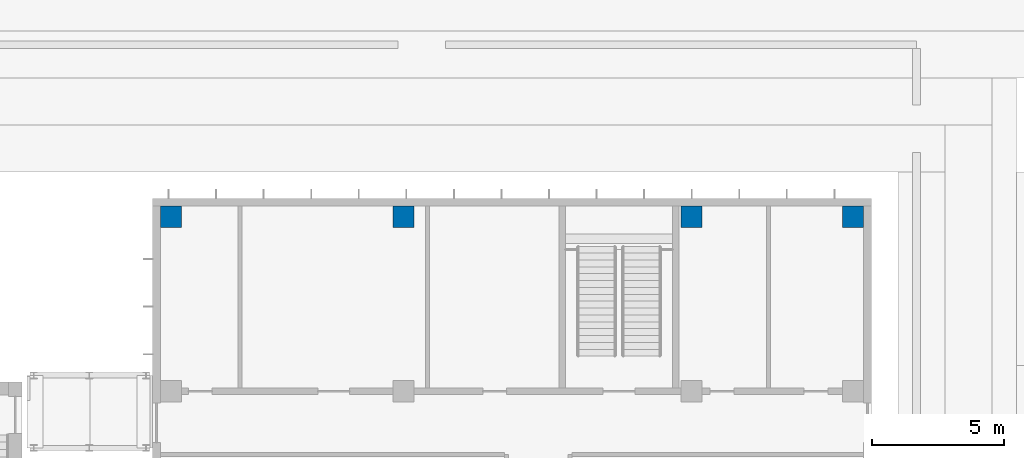
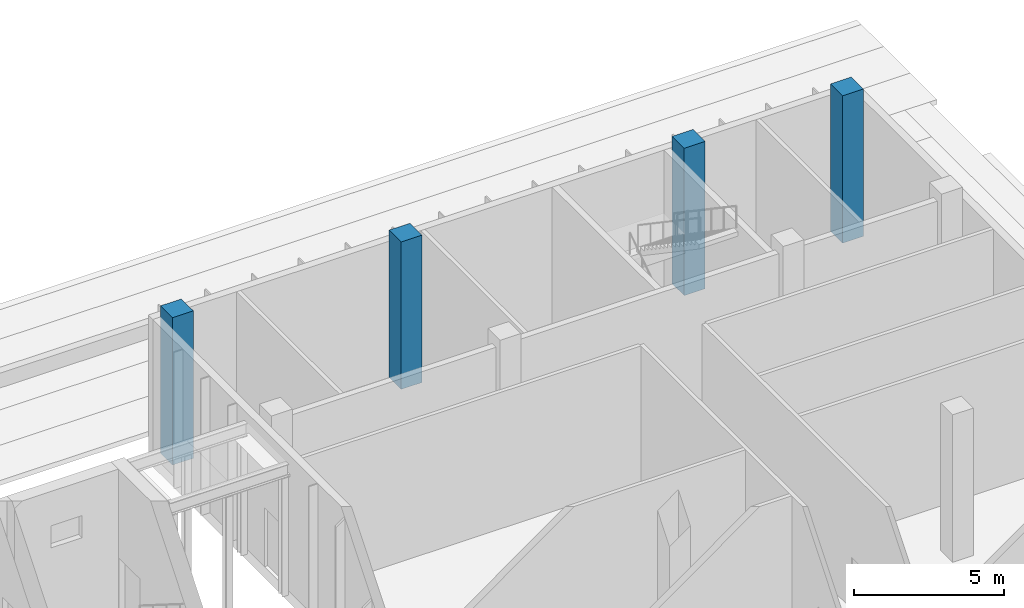
# One storey, part 15 of 71: 4 columns.
"""IFC4 building model written with IfcOpenShell, lengths in metres."""

import ifcopenshell
import ifcopenshell.guid

model = None  # the IFC model being written
_history = None  # IfcOwnerHistory: only IFC2X3 demands one
_inside = {}  # id of a spatial element -> (the spatial element, [elements in it])
_under = {}  # id of a project, library or spatial element -> (it, [spatial elements below it])
_declared = {}  # id of a project -> (the project, [libraries it declares])
_typed = {}  # id of a type object -> (the type object, [elements of that type])
_made_of = {}  # id of a material, layer set ... -> (it, [elements and type objects made of it])


def new_model(schema):
    """Start an empty IFC model of exactly this schema.

    Asked for "IFC4X3", IfcOpenShell would pick the latest addendum, in which some entities
    have other attributes; the version numbers below select the first issue.
    IFC2X3 requires an IfcOwnerHistory on every rooted entity: one is made here for all.
    """
    global model, _history
    if schema == "IFC4X3":
        model = ifcopenshell.file(schema_version=(4, 3, 0, 0))
    else:
        model = ifcopenshell.file(schema=schema)
    _inside.clear()
    _under.clear()
    _declared.clear()
    _typed.clear()
    _made_of.clear()
    _history = None
    if model.schema == "IFC2X3":
        org = make("IfcOrganization", Name="unknown")
        user = make(
            "IfcPersonAndOrganization",
            ThePerson=make("IfcPerson", FamilyName="unknown"),
            TheOrganization=org,
        )
        app = make(
            "IfcApplication",
            ApplicationDeveloper=org,
            Version="unknown",
            ApplicationFullName="unknown",
            ApplicationIdentifier="unknown",
        )
        _history = make(
            "IfcOwnerHistory",
            OwningUser=user,
            OwningApplication=app,
            ChangeAction="ADDED",
            CreationDate=0,
        )
    return model


def make(cls, **values):
    """One entity of the class cls with the attributes given. An attribute that is None is left unset."""
    return model.create_entity(
        cls, **{name: value for name, value in values.items() if value is not None}
    )


def rooted(cls, **values):
    """An entity with a GlobalId (a new one), such as an element, a storey or a relation."""
    return make(cls, GlobalId=ifcopenshell.guid.new(), OwnerHistory=_history, **values)


def si_unit(unit_type, name, prefix=None):
    """IfcSIUnit, for example si_unit("LENGTHUNIT", "METRE", prefix="MILLI")."""
    return make("IfcSIUnit", UnitType=unit_type, Prefix=prefix, Name=name)


def assignment(units):
    """IfcUnitAssignment: the units of a project."""
    return None if units is None else make("IfcUnitAssignment", Units=units)


def point(xyz):
    """IfcCartesianPoint."""
    return None if xyz is None else make("IfcCartesianPoint", Coordinates=xyz)


def direction(xyz):
    """IfcDirection."""
    return None if xyz is None else make("IfcDirection", DirectionRatios=xyz)


def frame(location, z_axis=None, x_axis=None):
    """IfcAxis2Placement3D, a coordinate frame: its origin and axes. An axis left out is left unset."""
    return make(
        "IfcAxis2Placement3D",
        Location=point(location),
        Axis=direction(z_axis),
        RefDirection=direction(x_axis),
    )


def frame_2d(location, x_axis=None):
    """IfcAxis2Placement2D, a coordinate frame in the plane: its origin and x axis."""
    return make(
        "IfcAxis2Placement2D", Location=point(location), RefDirection=direction(x_axis)
    )


def origin():
    """The frame at (0, 0, 0) with its axes left unset."""
    return frame((0.0, 0.0, 0.0))


def origin_2d():
    """The frame at (0, 0) in the plane with its x axis left unset."""
    return frame_2d((0.0, 0.0))


def place(relative_to, where):
    """IfcLocalPlacement: puts the frame where relative to a parent placement (None: the world)."""
    return make(
        "IfcLocalPlacement", PlacementRelTo=relative_to, RelativePlacement=where
    )


def context(
    kind, dimensions, precision=None, world=None, true_north=None, identifier=None
):
    """IfcGeometricRepresentationContext, for example the 3D "Model" context."""
    return make(
        "IfcGeometricRepresentationContext",
        ContextIdentifier=identifier,
        ContextType=kind,
        CoordinateSpaceDimension=dimensions,
        Precision=precision,
        WorldCoordinateSystem=world,
        TrueNorth=true_north,
    )


def subcontext(parent, identifier, kind, view, scale=None):
    """IfcGeometricRepresentationSubContext, for example "Body" below "Model"."""
    return make(
        "IfcGeometricRepresentationSubContext",
        ContextIdentifier=identifier,
        ContextType=kind,
        ParentContext=parent,
        TargetScale=scale,
        TargetView=view,
    )


def project(units=None, contexts=None):
    """IfcProject with its units and contexts."""
    return rooted(
        "IfcProject",
        Name="project",
        RepresentationContexts=contexts,
        UnitsInContext=assignment(units),
    )


def spatial(cls, under=None, at=None, **own):
    """A site, building, storey or space (cls), placed at a placement, below another one or the project."""
    s = rooted(cls, ObjectPlacement=at, **own)
    if under is not None:
        _under.setdefault(under.id(), (under, []))[1].append(s)
    return s


def profile(cls, at=None, kind="AREA", **sizes):
    """A parametric profile (cls). Its sizes go by their IFC names, for example OverallWidth=200.0."""
    return make(cls, ProfileType=kind, Position=at, **sizes)


def rectangle(**sizes):
    """IfcRectangleProfileDef."""
    return profile("IfcRectangleProfileDef", **sizes)


def extrude(swept, where, along, depth):
    """IfcExtrudedAreaSolid: the profile swept, set in the frame where, extruded along a direction by depth."""
    return make(
        "IfcExtrudedAreaSolid",
        SweptArea=swept,
        Position=where,
        ExtrudedDirection=direction(along),
        Depth=depth,
    )


def shape(context_of_items, identifier, shape_type, items):
    """IfcShapeRepresentation: the items that make up one representation, for example the "Body"."""
    return make(
        "IfcShapeRepresentation",
        ContextOfItems=context_of_items,
        RepresentationIdentifier=identifier,
        RepresentationType=shape_type,
        Items=items,
    )


def material(Name=None, Category=None):
    """IfcMaterial."""
    return make("IfcMaterial", Name=Name, Category=Category)


def material_profile(
    of_material, cross_section, Name=None, Category=None, Priority=None
):
    """IfcMaterialProfile: a cross section and its material."""
    return make(
        "IfcMaterialProfile",
        Name=Name,
        Material=of_material,
        Profile=cross_section,
        Priority=Priority,
        Category=Category,
    )


def profile_set(profiles, Name=None, composite=None):
    """IfcMaterialProfileSet."""
    return make(
        "IfcMaterialProfileSet",
        Name=Name,
        MaterialProfiles=profiles,
        CompositeProfile=composite,
    )


def made_of(thing, what):
    """Note that an element or type object is made of a material, layer set ...; save() writes the relation."""
    if what is not None:
        _made_of.setdefault(what.id(), (what, []))[1].append(thing)
    return thing


def type_object(cls, material=None, **own):
    """A type object (cls), such as IfcWallType, which elements share."""
    return made_of(rooted(cls, **own), material)


def element(
    cls,
    number,
    at=None,
    inside=None,
    cuts=None,
    type_object=None,
    material=None,
    context=None,
    identifier="Body",
    shape_type=None,
    held_by="IfcProductDefinitionShape",
    body=None,
    shapes=None,
    **own,
):
    """One element of the class cls, such as IfcWall. Its Tag is "e" and its number.

    at: its placement. inside: the storey or other place that contains it. cuts: it is an
    opening in that element (IfcRelVoidsElement). A single representation is given by context,
    identifier, shape_type and body (its items); several are given by shapes. held_by: the class
    of the entity that holds the representations. save() writes the other relations.
    """
    e = rooted(cls, Tag="e%d" % number, ObjectPlacement=at, **own)
    if body is not None:
        shapes = [shape(context, identifier, shape_type, body)]
    if shapes is not None:
        e.Representation = make(held_by, Representations=shapes)
    if inside is not None:
        _inside.setdefault(inside.id(), (inside, []))[1].append(e)
    if cuts is not None:
        rooted(
            "IfcRelVoidsElement", RelatingBuildingElement=cuts, RelatedOpeningElement=e
        )
    if type_object is not None:
        _typed.setdefault(type_object.id(), (type_object, []))[1].append(e)
    return made_of(e, material)


def aggregate(whole, parts):
    """IfcRelAggregates: a whole, such as a stair, and the parts it consists of."""
    return rooted("IfcRelAggregates", RelatingObject=whole, RelatedObjects=parts)


def save(model, path):
    """Write the relations noted so far, then the file.

    IfcRelAggregates (storeys below a building ...), IfcRelContainedInSpatialStructure (elements
    in a storey), IfcRelDefinesByType, IfcRelAssociatesMaterial and IfcRelDeclares: one each for
    every whole, place, type object, material and project.
    """
    for whole, parts in _under.values():
        aggregate(whole, parts)
    for where, things in _inside.values():
        rooted(
            "IfcRelContainedInSpatialStructure",
            RelatedElements=things,
            RelatingStructure=where,
        )
    for kind, things in _typed.values():
        rooted("IfcRelDefinesByType", RelatedObjects=things, RelatingType=kind)
    for what, things in _made_of.values():
        rooted("IfcRelAssociatesMaterial", RelatedObjects=things, RelatingMaterial=what)
    for by, libraries in _declared.values():
        rooted("IfcRelDeclares", RelatingContext=by, RelatedDefinitions=libraries)
    model.write(path)


model = new_model("IFC4")

# Units and contexts
model_context = context("Model", 3, precision=1e-05, world=origin(), true_north=direction((0.0, 1.0)))
body_context = subcontext(model_context, "Body", "Model", "MODEL_VIEW")
ifc_project = project(units=[si_unit("LENGTHUNIT", "METRE"), si_unit("AREAUNIT", "SQUARE_METRE"), si_unit("VOLUMEUNIT", "CUBIC_METRE"), si_unit("PLANEANGLEUNIT", "RADIAN"), si_unit("MASSUNIT", "GRAM", prefix="KILO")], contexts=[model_context])

# Site, building, storey
site_placement = place(None, origin())
site = spatial("IfcSite", under=ifc_project, at=site_placement, CompositionType="ELEMENT")
building_placement = place(site_placement, origin())
building = spatial("IfcBuilding", under=site, at=building_placement, Name="Basin Gate Institute", CompositionType="ELEMENT")
storey_placement = place(building_placement, origin())
storey = spatial("IfcBuildingStorey", under=building, at=storey_placement, Name="L00", CompositionType="ELEMENT", Elevation=0.0)

# Columns
ifc_material = material(Name="Concrete 50 MPa", Category="concrete")
ifc_material_profile = material_profile(ifc_material, rectangle(XDim=0.800048828125, YDim=0.800048828125, at=origin_2d()), Name="Column C4 800 x 800")
ifc_profile_set = profile_set([ifc_material_profile], Name="Concrete 50 MPa")
column_type = type_object("IfcColumnType", Name="Column C4 R180", PredefinedType="COLUMN", material=ifc_profile_set)
for number, where, z_axis, x_axis, name in (
    (1, (124.699951171875, 106.39990234375, 0.0), (0.0, 0.0, 1.0), (1.0, 0.0, 0.0), "Clean block column R180 1/5 L00"),
    (2, (133.5, 106.39990234375, 0.0), (0.0, 0.0, 1.0), (1.0, 0.0, 0.0), "Clean block column R180 2/5 L00"),
    (3, (144.39990234375, 106.39990234375, 0.0), (0.0, 0.0, 1.0), (1.0, 0.0, 0.0), "Clean block column R180 3/5 L00"),
    (4, (150.5, 106.39990234375, 0.0), (0.0, 0.0, 1.0), (1.0, 0.0, 0.0), "Clean block column R180 4/5 L00"),
):
    element("IfcColumn", number, at=place(storey_placement, frame(where, z_axis=z_axis, x_axis=x_axis)), inside=storey, type_object=column_type, material=ifc_profile_set, Name=name, PredefinedType="COLUMN", context=body_context, shape_type="SweptSolid", body=[
        extrude(rectangle(XDim=0.800048828125, YDim=0.800048828125, at=origin_2d()), origin(), (0.0, 0.0, 1.0), 6.0),
    ])

save(model, "model.ifc")
